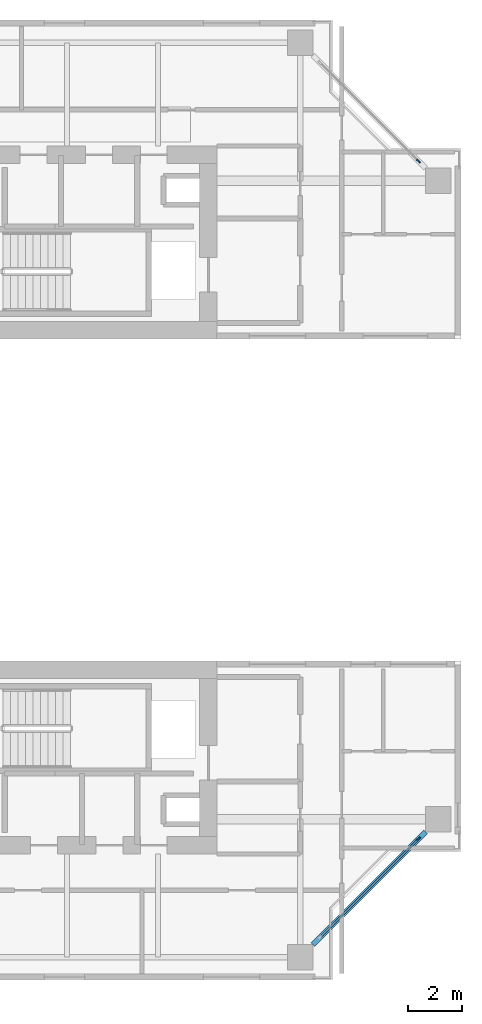
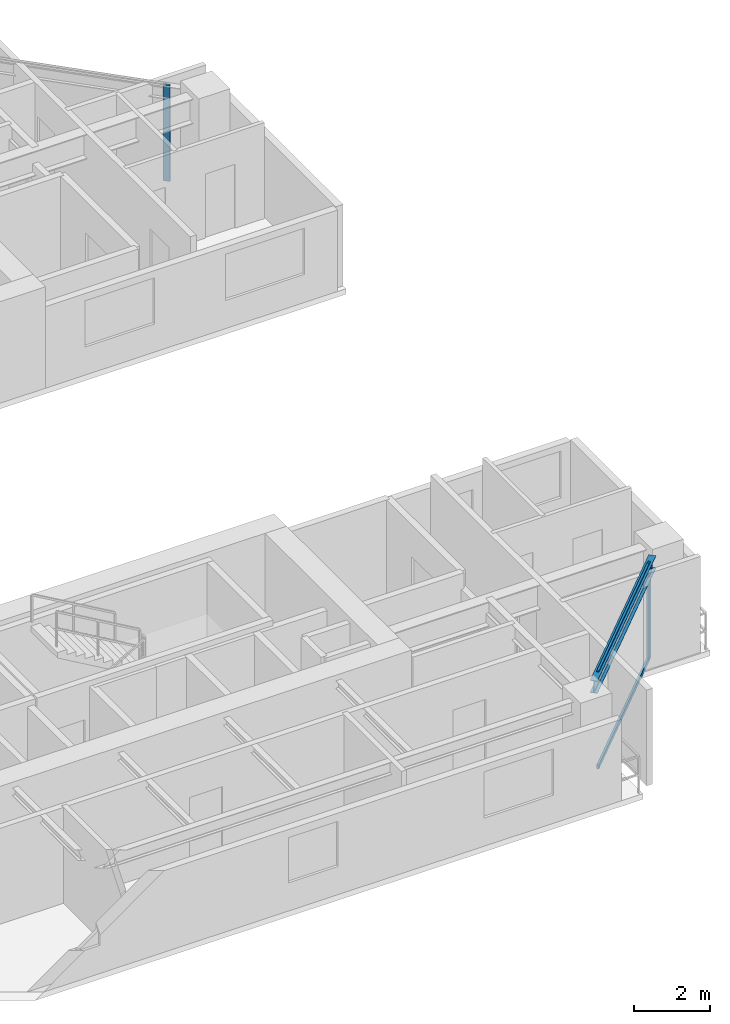
# One storey, part 4 of 12: 4 members, 1 beam, 2 elements without a shape of their own.
"""IFC4 building model written with IfcOpenShell, lengths in metres."""

from ifc_helpers import new_model, si_unit, direction, frame, origin, origin_2d, place, context, subcontext, project, spatial, rectangle, i_section, extrude, source, transform, mapped, material, layer, layer_set, material_profile, profile_set, type_object, element, aggregate, save


model = new_model("IFC4")

# Units and contexts
model_context = context("Model", 3, precision=1e-05, world=origin(), true_north=direction((0.0, 1.0)))
body_context = subcontext(model_context, "Body", "Model", "MODEL_VIEW")
ifc_project = project(units=[si_unit("LENGTHUNIT", "METRE"), si_unit("AREAUNIT", "SQUARE_METRE"), si_unit("VOLUMEUNIT", "CUBIC_METRE"), si_unit("PLANEANGLEUNIT", "RADIAN"), si_unit("MASSUNIT", "GRAM", prefix="KILO"), si_unit("THERMODYNAMICTEMPERATUREUNIT", "KELVIN"), si_unit("POWERUNIT", "WATT")], contexts=[model_context])

# Site, building, storey
site_placement = place(None, origin())
site = spatial("IfcSite", under=ifc_project, at=site_placement, CompositionType="ELEMENT")
building_placement = place(site_placement, origin())
building = spatial("IfcBuilding", under=site, at=building_placement, Name="Qiaomeng Ring Towers", CompositionType="ELEMENT")
storey_placement = place(building_placement, frame((0.0, 0.0, 160.0)))
storey = spatial("IfcBuildingStorey", under=building, at=storey_placement, Name="L46", CompositionType="ELEMENT", Elevation=160.0)

# Beam
ifc_material_1 = material(Name="Steel Q355B", Category="steel")
ifc_material_profile_1 = material_profile(ifc_material_1, i_section(OverallWidth=0.199951171875, OverallDepth=0.39990234375, WebThickness=0.008056640625, FlangeThickness=0.012939453125, FilletRadius=0.01611328125, at=origin_2d()), Name="HN 400x200x8x13")
ifc_profile_set_1 = profile_set([ifc_material_profile_1], Name="Steel Q355B")
beam_type = type_object("IfcBeamType", Name="STR-BM-HN400", PredefinedType="SPANDREL", material=ifc_profile_set_1)
shared_shape_1 = source(origin(), body_context, "Body", "SweptSolid", [
    extrude(i_section(OverallWidth=0.199951171875, OverallDepth=0.39990234375, WebThickness=0.008056640625, FlangeThickness=0.012939453125, FilletRadius=0.01611328125, at=origin_2d()), origin(), (0.0, 0.0, 1.0), 5.941650390625),
])
beam_placement = place(storey_placement, frame((31.374267578125, 6.42431640625, 2.8701171875), z_axis=(0.707106781187, 0.707106781187, 0.0), x_axis=(-0.707106781187, 0.707106781187, 0.0)))
element("IfcBeam", 1, at=beam_placement, inside=storey, type_object=beam_type, Name="L46 beam STR-SP-L46-T1-S2-E1", PredefinedType="SPANDREL", context=body_context, shape_type="MappedRepresentation", body=[
    mapped(shared_shape_1, transform((0.0, 0.0, 0.0), x_axis=(1.0, 0.0, 0.0), y_axis=(0.0, 1.0, 0.0), z_axis=(0.0, 0.0, 1.0), scale=1.0)),
])

# Curtain wall, member
ifc_material_2 = material(Name="Fluorocarbon dark-grey aluminium", Category="aluminium")
ifc_layer = layer(ifc_material_2, 0.14990234375, Name="Fluorocarbon dark-grey aluminium")
ifc_layer_set = layer_set([ifc_layer], Name="Fluorocarbon dark-grey aluminium")
curtain_wall_type = type_object("IfcCurtainWallType", Name="ARC-CW-3", PredefinedType="NOTDEFINED", material=ifc_layer_set)
curtain_wall_1_placement = place(storey_placement, origin())
curtain_wall_1 = element("IfcCurtainWall", 2, at=curtain_wall_1_placement, inside=storey, type_object=curtain_wall_type, Name="L46 Curtain Wall CW3", PredefinedType="NOTDEFINED")
ifc_material_profile_2 = material_profile(ifc_material_2, rectangle(XDim=0.070068359375, YDim=0.179931640625, at=origin_2d()), Name="ALU MULL 70x180")
ifc_profile_set_2 = profile_set([ifc_material_profile_2], Name="Fluorocarbon dark-grey aluminium")
member_type_1 = type_object("IfcMemberType", Name="ARC-CWM-160", PredefinedType="MULLION", material=ifc_profile_set_2)
shared_shape_2 = source(origin(), body_context, "Body", "SweptSolid", [
    extrude(rectangle(XDim=0.070068359375, YDim=0.179931640625, at=origin_2d()), origin(), (0.0, 0.0, 1.0), 3.070068359375),
])
member_1_placement = place(storey_placement, frame((35.310302734375, 10.3603515625, 0.0), z_axis=(0.0, 0.0, 1.0), x_axis=(-0.707106781187, 0.707106781187, 0.0)))
member_1 = element("IfcMember", 3, at=member_1_placement, type_object=member_type_1, Name="CW3 mullion 2", PredefinedType="MULLION", context=body_context, shape_type="MappedRepresentation", body=[
    mapped(shared_shape_2, transform((0.0, 0.0, 0.0), x_axis=(1.0, 0.0, 0.0), y_axis=(0.0, 1.0, 0.0), z_axis=(0.0, 0.0, 1.0), scale=1.0)),
])

curtain_wall_2_placement = place(storey_placement, origin())
curtain_wall_2 = element("IfcCurtainWall", 4, at=curtain_wall_2_placement, inside=storey, type_object=curtain_wall_type, Name="L46 Curtain Wall CW3", PredefinedType="NOTDEFINED")
member_2_placement = place(storey_placement, frame((35.310302734375, 35.6396484375, 0.0), z_axis=(0.0, 0.0, 1.0), x_axis=(-0.707106781187, -0.707106781187, 0.0)))
member_2 = element("IfcMember", 5, at=member_2_placement, type_object=member_type_1, Name="CW3 mullion 1", PredefinedType="MULLION", context=body_context, shape_type="MappedRepresentation", body=[
    mapped(shared_shape_2, transform((0.0, 0.0, 0.0), x_axis=(1.0, 0.0, 0.0), y_axis=(0.0, 1.0, 0.0), z_axis=(0.0, 0.0, 1.0), scale=1.0)),
])
aggregate(curtain_wall_2, [member_2])

# Member
ifc_material_profile_3 = material_profile(ifc_material_2, rectangle(XDim=0.06494140625, YDim=0.1298828125, at=origin_2d()), Name="ALU TRAN 65x130")
ifc_profile_set_3 = profile_set([ifc_material_profile_3], Name="Fluorocarbon dark-grey aluminium")
member_type_2 = type_object("IfcMemberType", Name="ARC-CWT-120", PredefinedType="USERDEFINED", material=ifc_profile_set_3)
shared_shape_3 = source(origin(), body_context, "Body", "SweptSolid", [
    extrude(rectangle(XDim=0.06494140625, YDim=0.1298828125, at=origin_2d()), origin(), (0.0, 0.0, 1.0), 5.12060546875),
])
member_3_placement = place(storey_placement, frame((31.66455078125, 6.714599609375, 0.032470703125), z_axis=(0.707106781187, 0.707106781187, 0.0), x_axis=(-0.707106781187, 0.707106781187, 0.0)))
member_3 = element("IfcMember", 6, at=member_3_placement, type_object=member_type_2, Name="CW3 transom 1.1", ObjectType="TRANSOM", PredefinedType="USERDEFINED", context=body_context, shape_type="MappedRepresentation", body=[
    mapped(shared_shape_3, transform((0.0, 0.0, 0.0), x_axis=(1.0, 0.0, 0.0), y_axis=(0.0, 1.0, 0.0), z_axis=(0.0, 0.0, 1.0), scale=1.0)),
])

member_4_placement = place(storey_placement, frame((31.66455078125, 6.714599609375, 3.03759765625), z_axis=(0.707106781187, 0.707106781187, 0.0), x_axis=(-0.707106781187, 0.707106781187, 0.0)))
member_4 = element("IfcMember", 7, at=member_4_placement, type_object=member_type_2, Name="CW3 transom 1.2", ObjectType="TRANSOM", PredefinedType="USERDEFINED", context=body_context, shape_type="MappedRepresentation", body=[
    mapped(shared_shape_3, transform((0.0, 0.0, 0.0), x_axis=(1.0, 0.0, 0.0), y_axis=(0.0, 1.0, 0.0), z_axis=(0.0, 0.0, 1.0), scale=1.0)),
])

aggregate(curtain_wall_1, [member_1, member_3, member_4])

save(model, "model.ifc")
